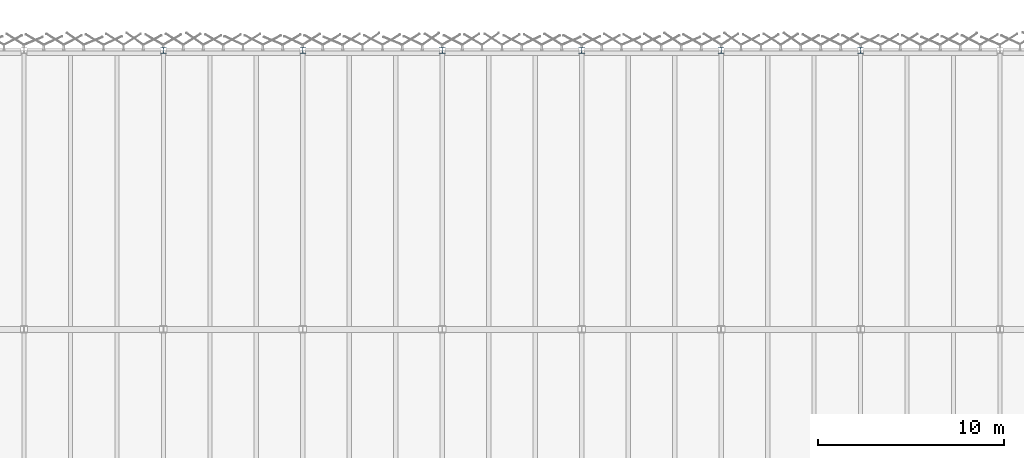
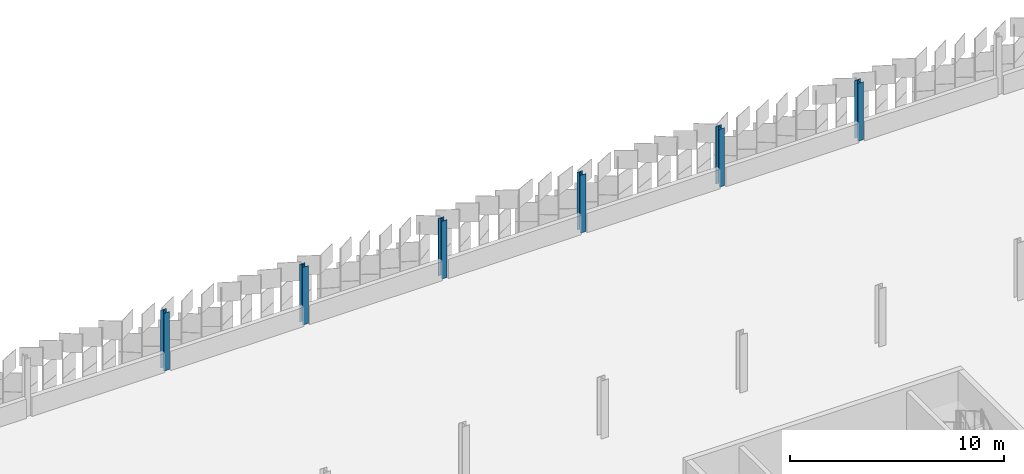
# One storey, part 26 of 198: 6 columns.
"""IFC4 building model written with IfcOpenShell, lengths in metres."""

from ifc_helpers import new_model, si_unit, direction, frame, origin, origin_2d, place, context, subcontext, project, spatial, i_section, extrude, material, material_profile, profile_set, type_object, element, save


model = new_model("IFC4")

# Units and contexts
model_context = context("Model", 3, precision=1e-05, world=origin(), true_north=direction((0.0, 1.0)))
body_context = subcontext(model_context, "Body", "Model", "MODEL_VIEW")
ifc_project = project(units=[si_unit("LENGTHUNIT", "METRE"), si_unit("AREAUNIT", "SQUARE_METRE"), si_unit("VOLUMEUNIT", "CUBIC_METRE"), si_unit("PLANEANGLEUNIT", "RADIAN"), si_unit("MASSUNIT", "GRAM", prefix="KILO")], contexts=[model_context])

# Site, building, storey
site_placement = place(None, origin())
site = spatial("IfcSite", under=ifc_project, at=site_placement, CompositionType="ELEMENT")
building_placement = place(site_placement, origin())
building = spatial("IfcBuilding", under=site, at=building_placement, Name="Parallax Yard Mobility Hub", CompositionType="ELEMENT")
storey_placement = place(building_placement, frame((0.0, 0.0, 6.60009765625)))
storey = spatial("IfcBuildingStorey", under=building, at=storey_placement, Name="L02", CompositionType="ELEMENT", Elevation=6.60009765625)

# Columns
ifc_material = material(Name="Steel ASTM A992", Category="steel")
ifc_material_profile = material_profile(ifc_material, i_section(OverallWidth=0.304931640625, OverallDepth=0.306884765625, WebThickness=0.010009765625, FlangeThickness=0.015380859375, FilletRadius=0.01513671875, at=origin_2d()), Name="W310x97")
ifc_profile_set = profile_set([ifc_material_profile], Name="Steel ASTM A992")
column_type = type_object("IfcColumnType", Name="W310x97 column", PredefinedType="COLUMN", material=ifc_profile_set)
for number, where, z_axis, x_axis, name in (
    (1, (112.5, 142.5, 0.0), (0.0, 0.0, 1.0), (1.0, 0.0, 0.0), "Column C1 level L02 at V/16 of ramped parking decks"),
    (2, (120.0, 142.5, 0.0), (0.0, 0.0, 1.0), (1.0, 0.0, 0.0), "Column C1 level L02 at V/17 of ramped parking decks"),
    (3, (127.5, 142.5, 0.0), (0.0, 0.0, 1.0), (1.0, 0.0, 0.0), "Column C1 level L02 at V/18 of ramped parking decks"),
    (4, (135.0, 142.5, 0.0), (0.0, 0.0, 1.0), (1.0, 0.0, 0.0), "Column C1 level L02 at V/19 of ramped parking decks"),
    (5, (142.5, 142.5, 0.0), (0.0, 0.0, 1.0), (1.0, 0.0, 0.0), "Column C1 level L02 at V/20 of ramped parking decks"),
    (6, (150.0, 142.5, 0.0), (0.0, 0.0, 1.0), (1.0, 0.0, 0.0), "Column C1 level L02 at V/21 of ramped parking decks"),
):
    element("IfcColumn", number, at=place(storey_placement, frame(where, z_axis=z_axis, x_axis=x_axis)), inside=storey, type_object=column_type, Name=name, PredefinedType="COLUMN", context=body_context, shape_type="SweptSolid", body=[
        extrude(i_section(OverallWidth=0.304931640625, OverallDepth=0.306884765625, WebThickness=0.010009765625, FlangeThickness=0.015380859375, FilletRadius=0.01513671875, at=origin_2d()), origin(), (0.0, 0.0, 1.0), 3.2998046875),
    ])

save(model, "model.ifc")
